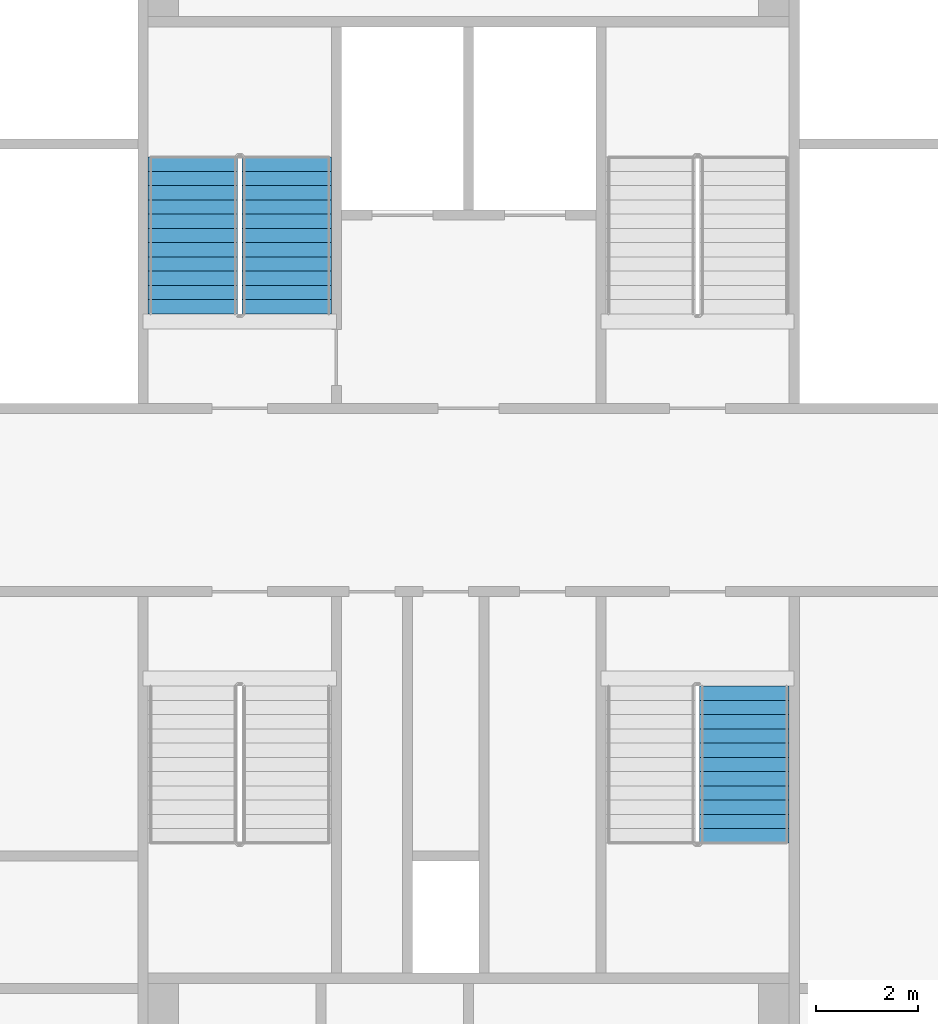
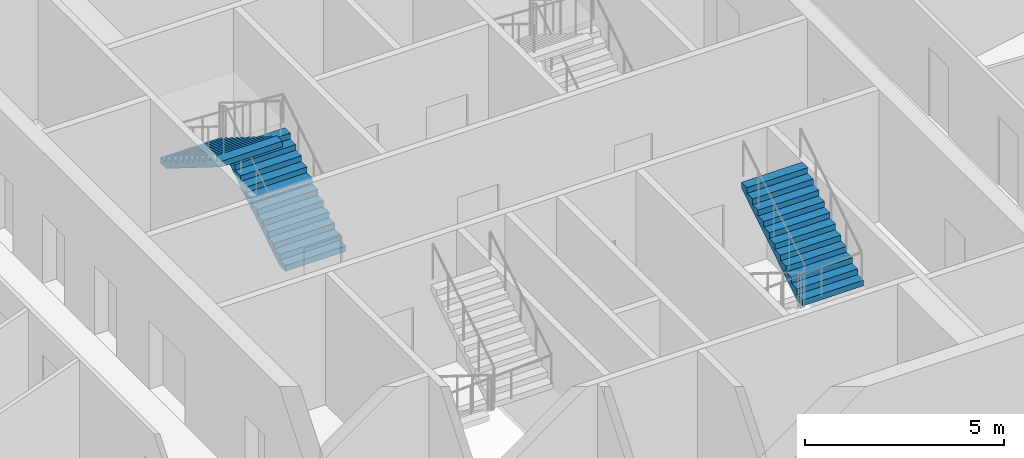
# One storey, part 22 of 28: 3 stair flights, 2 elements without a shape of their own.
"""IFC4 building model written with IfcOpenShell, lengths in metres."""

import ifcopenshell
import ifcopenshell.guid

model = None  # the IFC model being written
_history = None  # IfcOwnerHistory: only IFC2X3 demands one
_inside = {}  # id of a spatial element -> (the spatial element, [elements in it])
_under = {}  # id of a project, library or spatial element -> (it, [spatial elements below it])
_declared = {}  # id of a project -> (the project, [libraries it declares])
_typed = {}  # id of a type object -> (the type object, [elements of that type])
_made_of = {}  # id of a material, layer set ... -> (it, [elements and type objects made of it])


def new_model(schema):
    """Start an empty IFC model of exactly this schema.

    Asked for "IFC4X3", IfcOpenShell would pick the latest addendum, in which some entities
    have other attributes; the version numbers below select the first issue.
    IFC2X3 requires an IfcOwnerHistory on every rooted entity: one is made here for all.
    """
    global model, _history
    if schema == "IFC4X3":
        model = ifcopenshell.file(schema_version=(4, 3, 0, 0))
    else:
        model = ifcopenshell.file(schema=schema)
    _inside.clear()
    _under.clear()
    _declared.clear()
    _typed.clear()
    _made_of.clear()
    _history = None
    if model.schema == "IFC2X3":
        org = make("IfcOrganization", Name="unknown")
        user = make(
            "IfcPersonAndOrganization",
            ThePerson=make("IfcPerson", FamilyName="unknown"),
            TheOrganization=org,
        )
        app = make(
            "IfcApplication",
            ApplicationDeveloper=org,
            Version="unknown",
            ApplicationFullName="unknown",
            ApplicationIdentifier="unknown",
        )
        _history = make(
            "IfcOwnerHistory",
            OwningUser=user,
            OwningApplication=app,
            ChangeAction="ADDED",
            CreationDate=0,
        )
    return model


def make(cls, **values):
    """One entity of the class cls with the attributes given. An attribute that is None is left unset."""
    return model.create_entity(
        cls, **{name: value for name, value in values.items() if value is not None}
    )


def rooted(cls, **values):
    """An entity with a GlobalId (a new one), such as an element, a storey or a relation."""
    return make(cls, GlobalId=ifcopenshell.guid.new(), OwnerHistory=_history, **values)


def si_unit(unit_type, name, prefix=None):
    """IfcSIUnit, for example si_unit("LENGTHUNIT", "METRE", prefix="MILLI")."""
    return make("IfcSIUnit", UnitType=unit_type, Prefix=prefix, Name=name)


def assignment(units):
    """IfcUnitAssignment: the units of a project."""
    return None if units is None else make("IfcUnitAssignment", Units=units)


def point(xyz):
    """IfcCartesianPoint."""
    return None if xyz is None else make("IfcCartesianPoint", Coordinates=xyz)


def direction(xyz):
    """IfcDirection."""
    return None if xyz is None else make("IfcDirection", DirectionRatios=xyz)


def frame(location, z_axis=None, x_axis=None):
    """IfcAxis2Placement3D, a coordinate frame: its origin and axes. An axis left out is left unset."""
    return make(
        "IfcAxis2Placement3D",
        Location=point(location),
        Axis=direction(z_axis),
        RefDirection=direction(x_axis),
    )


def origin():
    """The frame at (0, 0, 0) with its axes left unset."""
    return frame((0.0, 0.0, 0.0))


def place(relative_to, where):
    """IfcLocalPlacement: puts the frame where relative to a parent placement (None: the world)."""
    return make(
        "IfcLocalPlacement", PlacementRelTo=relative_to, RelativePlacement=where
    )


def context(
    kind, dimensions, precision=None, world=None, true_north=None, identifier=None
):
    """IfcGeometricRepresentationContext, for example the 3D "Model" context."""
    return make(
        "IfcGeometricRepresentationContext",
        ContextIdentifier=identifier,
        ContextType=kind,
        CoordinateSpaceDimension=dimensions,
        Precision=precision,
        WorldCoordinateSystem=world,
        TrueNorth=true_north,
    )


def subcontext(parent, identifier, kind, view, scale=None):
    """IfcGeometricRepresentationSubContext, for example "Body" below "Model"."""
    return make(
        "IfcGeometricRepresentationSubContext",
        ContextIdentifier=identifier,
        ContextType=kind,
        ParentContext=parent,
        TargetScale=scale,
        TargetView=view,
    )


def project(units=None, contexts=None):
    """IfcProject with its units and contexts."""
    return rooted(
        "IfcProject",
        Name="project",
        RepresentationContexts=contexts,
        UnitsInContext=assignment(units),
    )


def spatial(cls, under=None, at=None, **own):
    """A site, building, storey or space (cls), placed at a placement, below another one or the project."""
    s = rooted(cls, ObjectPlacement=at, **own)
    if under is not None:
        _under.setdefault(under.id(), (under, []))[1].append(s)
    return s


def faces_of(points, faces, orient=None, outer=None):
    """IfcFace entities. A face is a list of loops; a loop is a list of indices into points, from 0.

    orient and outer hold one flag for each loop. By default every Orientation is true, the
    first loop of a face is its IfcFaceOuterBound and the others are IfcFaceBound.
    """
    made = []
    for i, loops in enumerate(faces):
        bounds = []
        for j, loop in enumerate(loops):
            is_outer = j == 0 if outer is None else outer[i][j]
            bounds.append(
                make(
                    "IfcFaceOuterBound" if is_outer else "IfcFaceBound",
                    Bound=make("IfcPolyLoop", Polygon=[points[k] for k in loop]),
                    Orientation=True if orient is None else orient[i][j],
                )
            )
        made.append(make("IfcFace", Bounds=bounds))
    return made


def faceted_brep(points, faces, orient=None, outer=None, voids=None):
    """IfcFacetedBrep: a solid bounded by flat faces; with voids (closed shells), ...WithVoids."""
    shared = [point(p) for p in points]
    hull = make("IfcClosedShell", CfsFaces=faces_of(shared, faces, orient, outer))
    if voids is None:
        return make("IfcFacetedBrep", Outer=hull)
    return make(
        "IfcFacetedBrepWithVoids",
        Outer=hull,
        Voids=[
            make(cls, CfsFaces=faces_of(shared, fs, o, b)) for cls, fs, o, b in voids
        ],
    )


def shape(context_of_items, identifier, shape_type, items):
    """IfcShapeRepresentation: the items that make up one representation, for example the "Body"."""
    return make(
        "IfcShapeRepresentation",
        ContextOfItems=context_of_items,
        RepresentationIdentifier=identifier,
        RepresentationType=shape_type,
        Items=items,
    )


def material(Name=None, Category=None):
    """IfcMaterial."""
    return make("IfcMaterial", Name=Name, Category=Category)


def made_of(thing, what):
    """Note that an element or type object is made of a material, layer set ...; save() writes the relation."""
    if what is not None:
        _made_of.setdefault(what.id(), (what, []))[1].append(thing)
    return thing


def type_object(cls, material=None, **own):
    """A type object (cls), such as IfcWallType, which elements share."""
    return made_of(rooted(cls, **own), material)


def element(
    cls,
    number,
    at=None,
    inside=None,
    cuts=None,
    type_object=None,
    material=None,
    context=None,
    identifier="Body",
    shape_type=None,
    held_by="IfcProductDefinitionShape",
    body=None,
    shapes=None,
    **own,
):
    """One element of the class cls, such as IfcWall. Its Tag is "e" and its number.

    at: its placement. inside: the storey or other place that contains it. cuts: it is an
    opening in that element (IfcRelVoidsElement). A single representation is given by context,
    identifier, shape_type and body (its items); several are given by shapes. held_by: the class
    of the entity that holds the representations. save() writes the other relations.
    """
    e = rooted(cls, Tag="e%d" % number, ObjectPlacement=at, **own)
    if body is not None:
        shapes = [shape(context, identifier, shape_type, body)]
    if shapes is not None:
        e.Representation = make(held_by, Representations=shapes)
    if inside is not None:
        _inside.setdefault(inside.id(), (inside, []))[1].append(e)
    if cuts is not None:
        rooted(
            "IfcRelVoidsElement", RelatingBuildingElement=cuts, RelatedOpeningElement=e
        )
    if type_object is not None:
        _typed.setdefault(type_object.id(), (type_object, []))[1].append(e)
    return made_of(e, material)


def aggregate(whole, parts):
    """IfcRelAggregates: a whole, such as a stair, and the parts it consists of."""
    return rooted("IfcRelAggregates", RelatingObject=whole, RelatedObjects=parts)


def save(model, path):
    """Write the relations noted so far, then the file.

    IfcRelAggregates (storeys below a building ...), IfcRelContainedInSpatialStructure (elements
    in a storey), IfcRelDefinesByType, IfcRelAssociatesMaterial and IfcRelDeclares: one each for
    every whole, place, type object, material and project.
    """
    for whole, parts in _under.values():
        aggregate(whole, parts)
    for where, things in _inside.values():
        rooted(
            "IfcRelContainedInSpatialStructure",
            RelatedElements=things,
            RelatingStructure=where,
        )
    for kind, things in _typed.values():
        rooted("IfcRelDefinesByType", RelatedObjects=things, RelatingType=kind)
    for what, things in _made_of.values():
        rooted("IfcRelAssociatesMaterial", RelatedObjects=things, RelatingMaterial=what)
    for by, libraries in _declared.values():
        rooted("IfcRelDeclares", RelatingContext=by, RelatedDefinitions=libraries)
    model.write(path)


model = new_model("IFC4")

# Units and contexts
model_context = context("Model", 3, precision=1e-05, world=origin(), true_north=direction((0.0, 1.0)))
body_context = subcontext(model_context, "Body", "Model", "MODEL_VIEW")
ifc_project = project(units=[si_unit("LENGTHUNIT", "METRE"), si_unit("AREAUNIT", "SQUARE_METRE"), si_unit("VOLUMEUNIT", "CUBIC_METRE"), si_unit("PLANEANGLEUNIT", "RADIAN"), si_unit("MASSUNIT", "GRAM", prefix="KILO")], contexts=[model_context])

# Site, building, storey
site_placement = place(None, origin())
site = spatial("IfcSite", under=ifc_project, at=site_placement, CompositionType="ELEMENT")
building_placement = place(site_placement, origin())
building = spatial("IfcBuilding", under=site, at=building_placement, Name="Tarsis Ring Headquarters", CompositionType="ELEMENT")
storey_placement = place(building_placement, frame((0.0, 0.0, 365.0)))
storey = spatial("IfcBuildingStorey", under=building, at=storey_placement, Name="L86", CompositionType="ELEMENT", Elevation=365.0)

# Stair, stair flights
ifc_material_1 = material(Name="Core stair 1760")
stair_type = type_object("IfcStairType", Name="Core stair 1760", PredefinedType="HALF_TURN_STAIR", material=ifc_material_1)
stair_1_placement = place(storey_placement, origin())
stair_1 = element("IfcStair", 1, at=stair_1_placement, inside=storey, type_object=stair_type, Name="L86 Firefighting stair", PredefinedType="HALF_TURN_STAIR")
ifc_material_2 = material(Name="Concrete C40/50", Category="concrete")
stair_flight_type = type_object("IfcStairFlightType", Name="Core stair flight 1760", PredefinedType="STRAIGHT", material=ifc_material_2)
stair_flight_1_placement = place(storey_placement, frame((-3.580078125, 3.659912109375, 0.0), z_axis=(0.0, 0.0, 1.0), x_axis=(0.0, 1.0, 0.0)))
stair_flight_1 = element("IfcStairFlight", 2, at=stair_flight_1_placement, type_object=stair_flight_type, Name="Stair ST1 flight 1", NumberOfRisers=12, NumberOfTreads=11, PredefinedType="STRAIGHT", RiserHeight=0.175, TreadLength=0.28, context=body_context, shape_type="Brep", body=[
    faceted_brep([(0.0, 0.8798828125, 0.0), (0.0, 0.8798828125, 0.175048828125), (0.280029296875, 0.8798828125, 0.175048828125), (0.280029296875, 0.8798828125, 0.35009765625), (0.56005859375, 0.8798828125, 0.35009765625), (0.56005859375, 0.8798828125, 0.52490234375), (0.840087890625, 0.8798828125, 0.52490234375), (0.840087890625, 0.8798828125, 0.699951171875), (1.1201171875, 0.8798828125, 0.699951171875), (1.1201171875, 0.8798828125, 0.875), (1.39990234375, 0.8798828125, 0.875), (1.39990234375, 0.8798828125, 1.050048828125), (1.679931640625, 0.8798828125, 1.050048828125), (1.679931640625, 0.8798828125, 1.22509765625), (1.9599609375, 0.8798828125, 1.22509765625), (1.9599609375, 0.8798828125, 1.39990234375), (2.239990234375, 0.8798828125, 1.39990234375), (2.239990234375, 0.8798828125, 1.574951171875), (2.52001953125, 0.8798828125, 1.574951171875), (2.52001953125, 0.8798828125, 1.75), (2.800048828125, 0.8798828125, 1.75), (2.800048828125, 0.8798828125, 1.925048828125), (3.080078125, 0.8798828125, 1.925048828125), (3.080078125, 0.8798828125, 1.748291015625), (0.28271484375, 0.8798828125, 0.0), (0.28271484375, -0.8798828125, 0.0), (3.080078125, -0.8798828125, 1.748291015625), (3.080078125, -0.8798828125, 1.925048828125), (2.800048828125, -0.8798828125, 1.925048828125), (2.800048828125, -0.8798828125, 1.75), (2.52001953125, -0.8798828125, 1.75), (2.52001953125, -0.8798828125, 1.574951171875), (2.239990234375, -0.8798828125, 1.574951171875), (2.239990234375, -0.8798828125, 1.39990234375), (1.9599609375, -0.8798828125, 1.39990234375), (1.9599609375, -0.8798828125, 1.22509765625), (1.679931640625, -0.8798828125, 1.22509765625), (1.679931640625, -0.8798828125, 1.050048828125), (1.39990234375, -0.8798828125, 1.050048828125), (1.39990234375, -0.8798828125, 0.875), (1.1201171875, -0.8798828125, 0.875), (1.1201171875, -0.8798828125, 0.699951171875), (0.840087890625, -0.8798828125, 0.699951171875), (0.840087890625, -0.8798828125, 0.52490234375), (0.56005859375, -0.8798828125, 0.52490234375), (0.56005859375, -0.8798828125, 0.35009765625), (0.280029296875, -0.8798828125, 0.35009765625), (0.280029296875, -0.8798828125, 0.175048828125), (0.0, -0.8798828125, 0.175048828125), (0.0, -0.8798828125, 0.0), (0.0, -0.43994140625, 0.175048828125), (0.0, -0.43994140625, 0.0), (0.0, 0.0, 0.175048828125), (0.0, 0.0, 0.0), (0.0, 0.43994140625, 0.175048828125), (0.0, 0.43994140625, 0.0), (0.280029296875, -0.43994140625, 0.175048828125), (0.280029296875, 0.0, 0.175048828125), (0.280029296875, 0.43994140625, 0.175048828125), (0.280029296875, -0.43994140625, 0.35009765625), (0.280029296875, 0.0, 0.35009765625), (0.280029296875, 0.43994140625, 0.35009765625), (0.56005859375, -0.43994140625, 0.35009765625), (0.56005859375, 0.0, 0.35009765625), (0.56005859375, 0.43994140625, 0.35009765625), (0.56005859375, -0.43994140625, 0.52490234375), (0.56005859375, 0.0, 0.52490234375), (0.56005859375, 0.43994140625, 0.52490234375), (0.840087890625, -0.43994140625, 0.52490234375), (0.840087890625, 0.0, 0.52490234375), (0.840087890625, 0.43994140625, 0.52490234375), (0.840087890625, -0.43994140625, 0.699951171875), (0.840087890625, 0.0, 0.699951171875), (0.840087890625, 0.43994140625, 0.699951171875), (1.1201171875, -0.43994140625, 0.699951171875), (1.1201171875, 0.0, 0.699951171875), (1.1201171875, 0.43994140625, 0.699951171875), (1.1201171875, -0.43994140625, 0.875), (1.1201171875, 0.0, 0.875), (1.1201171875, 0.43994140625, 0.875), (1.39990234375, -0.43994140625, 0.875), (1.39990234375, 0.0, 0.875), (1.39990234375, 0.43994140625, 0.875), (1.39990234375, -0.43994140625, 1.050048828125), (1.39990234375, 0.0, 1.050048828125), (1.39990234375, 0.43994140625, 1.050048828125), (1.679931640625, -0.43994140625, 1.050048828125), (1.679931640625, 0.0, 1.050048828125), (1.679931640625, 0.43994140625, 1.050048828125), (1.679931640625, -0.43994140625, 1.22509765625), (1.679931640625, 0.0, 1.22509765625), (1.679931640625, 0.43994140625, 1.22509765625), (1.9599609375, -0.43994140625, 1.22509765625), (1.9599609375, 0.0, 1.22509765625), (1.9599609375, 0.43994140625, 1.22509765625), (1.9599609375, -0.43994140625, 1.39990234375), (1.9599609375, 0.0, 1.39990234375), (1.9599609375, 0.43994140625, 1.39990234375), (2.239990234375, -0.43994140625, 1.39990234375), (2.239990234375, 0.0, 1.39990234375), (2.239990234375, 0.43994140625, 1.39990234375), (2.239990234375, -0.43994140625, 1.574951171875), (2.239990234375, 0.0, 1.574951171875), (2.239990234375, 0.43994140625, 1.574951171875), (2.52001953125, -0.43994140625, 1.574951171875), (2.52001953125, 0.0, 1.574951171875), (2.52001953125, 0.43994140625, 1.574951171875), (2.52001953125, -0.43994140625, 1.75), (2.52001953125, 0.0, 1.75), (2.52001953125, 0.43994140625, 1.75), (2.800048828125, -0.43994140625, 1.75), (2.800048828125, 0.0, 1.75), (2.800048828125, 0.43994140625, 1.75), (2.800048828125, -0.43994140625, 1.925048828125), (2.800048828125, 0.0, 1.925048828125), (2.800048828125, 0.43994140625, 1.925048828125), (3.080078125, -0.43994140625, 1.925048828125), (3.080078125, 0.0, 1.925048828125), (3.080078125, 0.43994140625, 1.925048828125), (3.080078125, -0.43994140625, 1.748291015625), (3.080078125, 0.0, 1.748291015625), (3.080078125, 0.43994140625, 1.748291015625), (0.28271484375, -0.43994140625, 0.0), (0.28271484375, 0.0, 0.0), (0.28271484375, 0.43994140625, 0.0)], [[[0, 1, 2, 3, 4, 5, 6, 7, 8, 9, 10, 11, 12, 13, 14, 15, 16, 17, 18, 19, 20, 21, 22, 23, 24]], [[25, 26, 27, 28, 29, 30, 31, 32, 33, 34, 35, 36, 37, 38, 39, 40, 41, 42, 43, 44, 45, 46, 47, 48, 49]], [[49, 48, 50, 51]], [[51, 50, 52, 53]], [[53, 52, 54, 55]], [[55, 54, 1, 0]], [[48, 47, 56, 50]], [[50, 56, 57, 52]], [[52, 57, 58, 54]], [[54, 58, 2, 1]], [[47, 46, 59, 56]], [[56, 59, 60, 57]], [[57, 60, 61, 58]], [[58, 61, 3, 2]], [[46, 45, 62, 59]], [[59, 62, 63, 60]], [[60, 63, 64, 61]], [[61, 64, 4, 3]], [[45, 44, 65, 62]], [[62, 65, 66, 63]], [[63, 66, 67, 64]], [[64, 67, 5, 4]], [[44, 43, 68, 65]], [[65, 68, 69, 66]], [[66, 69, 70, 67]], [[67, 70, 6, 5]], [[43, 42, 71, 68]], [[68, 71, 72, 69]], [[69, 72, 73, 70]], [[70, 73, 7, 6]], [[42, 41, 74, 71]], [[71, 74, 75, 72]], [[72, 75, 76, 73]], [[73, 76, 8, 7]], [[41, 40, 77, 74]], [[74, 77, 78, 75]], [[75, 78, 79, 76]], [[76, 79, 9, 8]], [[40, 39, 80, 77]], [[77, 80, 81, 78]], [[78, 81, 82, 79]], [[79, 82, 10, 9]], [[39, 38, 83, 80]], [[80, 83, 84, 81]], [[81, 84, 85, 82]], [[82, 85, 11, 10]], [[38, 37, 86, 83]], [[83, 86, 87, 84]], [[84, 87, 88, 85]], [[85, 88, 12, 11]], [[37, 36, 89, 86]], [[86, 89, 90, 87]], [[87, 90, 91, 88]], [[88, 91, 13, 12]], [[36, 35, 92, 89]], [[89, 92, 93, 90]], [[90, 93, 94, 91]], [[91, 94, 14, 13]], [[35, 34, 95, 92]], [[92, 95, 96, 93]], [[93, 96, 97, 94]], [[94, 97, 15, 14]], [[34, 33, 98, 95]], [[95, 98, 99, 96]], [[96, 99, 100, 97]], [[97, 100, 16, 15]], [[33, 32, 101, 98]], [[98, 101, 102, 99]], [[99, 102, 103, 100]], [[100, 103, 17, 16]], [[32, 31, 104, 101]], [[101, 104, 105, 102]], [[102, 105, 106, 103]], [[103, 106, 18, 17]], [[31, 30, 107, 104]], [[104, 107, 108, 105]], [[105, 108, 109, 106]], [[106, 109, 19, 18]], [[30, 29, 110, 107]], [[107, 110, 111, 108]], [[108, 111, 112, 109]], [[109, 112, 20, 19]], [[29, 28, 113, 110]], [[110, 113, 114, 111]], [[111, 114, 115, 112]], [[112, 115, 21, 20]], [[28, 27, 116, 113]], [[113, 116, 117, 114]], [[114, 117, 118, 115]], [[115, 118, 22, 21]], [[27, 26, 119, 116]], [[116, 119, 120, 117]], [[117, 120, 121, 118]], [[118, 121, 23, 22]], [[26, 25, 122, 119]], [[119, 122, 123, 120]], [[120, 123, 124, 121]], [[121, 124, 24, 23]], [[25, 49, 51, 122]], [[122, 51, 53, 123]], [[123, 53, 55, 124]], [[124, 55, 0, 24]]]),
])
stair_flight_2_placement = place(storey_placement, frame((-5.419921875, 6.739990234375, 2.10009765625), z_axis=(0.0, 0.0, 1.0), x_axis=(0.0, -1.0, 0.0)))
stair_flight_2 = element("IfcStairFlight", 3, at=stair_flight_2_placement, type_object=stair_flight_type, Name="Stair ST1 flight 2", NumberOfRisers=12, NumberOfTreads=11, PredefinedType="STRAIGHT", RiserHeight=0.175, TreadLength=0.28, context=body_context, shape_type="Brep", body=[
    faceted_brep([(0.0, 0.8798828125, 0.0), (0.0, 0.8798828125, 0.175048828125), (0.280029296875, 0.8798828125, 0.175048828125), (0.280029296875, 0.8798828125, 0.35009765625), (0.56005859375, 0.8798828125, 0.35009765625), (0.56005859375, 0.8798828125, 0.52490234375), (0.840087890625, 0.8798828125, 0.52490234375), (0.840087890625, 0.8798828125, 0.699951171875), (1.1201171875, 0.8798828125, 0.699951171875), (1.1201171875, 0.8798828125, 0.875), (1.39990234375, 0.8798828125, 0.875), (1.39990234375, 0.8798828125, 1.050048828125), (1.679931640625, 0.8798828125, 1.050048828125), (1.679931640625, 0.8798828125, 1.22509765625), (1.9599609375, 0.8798828125, 1.22509765625), (1.9599609375, 0.8798828125, 1.39990234375), (2.239990234375, 0.8798828125, 1.39990234375), (2.239990234375, 0.8798828125, 1.574951171875), (2.52001953125, 0.8798828125, 1.574951171875), (2.52001953125, 0.8798828125, 1.75), (2.800048828125, 0.8798828125, 1.75), (2.800048828125, 0.8798828125, 1.925048828125), (3.080078125, 0.8798828125, 1.925048828125), (3.080078125, 0.8798828125, 1.748291015625), (0.28271484375, 0.8798828125, 0.0), (0.28271484375, -0.8798828125, 0.0), (3.080078125, -0.8798828125, 1.748291015625), (3.080078125, -0.8798828125, 1.925048828125), (2.800048828125, -0.8798828125, 1.925048828125), (2.800048828125, -0.8798828125, 1.75), (2.52001953125, -0.8798828125, 1.75), (2.52001953125, -0.8798828125, 1.574951171875), (2.239990234375, -0.8798828125, 1.574951171875), (2.239990234375, -0.8798828125, 1.39990234375), (1.9599609375, -0.8798828125, 1.39990234375), (1.9599609375, -0.8798828125, 1.22509765625), (1.679931640625, -0.8798828125, 1.22509765625), (1.679931640625, -0.8798828125, 1.050048828125), (1.39990234375, -0.8798828125, 1.050048828125), (1.39990234375, -0.8798828125, 0.875), (1.1201171875, -0.8798828125, 0.875), (1.1201171875, -0.8798828125, 0.699951171875), (0.840087890625, -0.8798828125, 0.699951171875), (0.840087890625, -0.8798828125, 0.52490234375), (0.56005859375, -0.8798828125, 0.52490234375), (0.56005859375, -0.8798828125, 0.35009765625), (0.280029296875, -0.8798828125, 0.35009765625), (0.280029296875, -0.8798828125, 0.175048828125), (0.0, -0.8798828125, 0.175048828125), (0.0, -0.8798828125, 0.0), (0.0, -0.43994140625, 0.175048828125), (0.0, -0.43994140625, 0.0), (0.0, 0.0, 0.175048828125), (0.0, 0.0, 0.0), (0.0, 0.43994140625, 0.175048828125), (0.0, 0.43994140625, 0.0), (0.280029296875, -0.43994140625, 0.175048828125), (0.280029296875, 0.0, 0.175048828125), (0.280029296875, 0.43994140625, 0.175048828125), (0.280029296875, -0.43994140625, 0.35009765625), (0.280029296875, 0.0, 0.35009765625), (0.280029296875, 0.43994140625, 0.35009765625), (0.56005859375, -0.43994140625, 0.35009765625), (0.56005859375, 0.0, 0.35009765625), (0.56005859375, 0.43994140625, 0.35009765625), (0.56005859375, -0.43994140625, 0.52490234375), (0.56005859375, 0.0, 0.52490234375), (0.56005859375, 0.43994140625, 0.52490234375), (0.840087890625, -0.43994140625, 0.52490234375), (0.840087890625, 0.0, 0.52490234375), (0.840087890625, 0.43994140625, 0.52490234375), (0.840087890625, -0.43994140625, 0.699951171875), (0.840087890625, 0.0, 0.699951171875), (0.840087890625, 0.43994140625, 0.699951171875), (1.1201171875, -0.43994140625, 0.699951171875), (1.1201171875, 0.0, 0.699951171875), (1.1201171875, 0.43994140625, 0.699951171875), (1.1201171875, -0.43994140625, 0.875), (1.1201171875, 0.0, 0.875), (1.1201171875, 0.43994140625, 0.875), (1.39990234375, -0.43994140625, 0.875), (1.39990234375, 0.0, 0.875), (1.39990234375, 0.43994140625, 0.875), (1.39990234375, -0.43994140625, 1.050048828125), (1.39990234375, 0.0, 1.050048828125), (1.39990234375, 0.43994140625, 1.050048828125), (1.679931640625, -0.43994140625, 1.050048828125), (1.679931640625, 0.0, 1.050048828125), (1.679931640625, 0.43994140625, 1.050048828125), (1.679931640625, -0.43994140625, 1.22509765625), (1.679931640625, 0.0, 1.22509765625), (1.679931640625, 0.43994140625, 1.22509765625), (1.9599609375, -0.43994140625, 1.22509765625), (1.9599609375, 0.0, 1.22509765625), (1.9599609375, 0.43994140625, 1.22509765625), (1.9599609375, -0.43994140625, 1.39990234375), (1.9599609375, 0.0, 1.39990234375), (1.9599609375, 0.43994140625, 1.39990234375), (2.239990234375, -0.43994140625, 1.39990234375), (2.239990234375, 0.0, 1.39990234375), (2.239990234375, 0.43994140625, 1.39990234375), (2.239990234375, -0.43994140625, 1.574951171875), (2.239990234375, 0.0, 1.574951171875), (2.239990234375, 0.43994140625, 1.574951171875), (2.52001953125, -0.43994140625, 1.574951171875), (2.52001953125, 0.0, 1.574951171875), (2.52001953125, 0.43994140625, 1.574951171875), (2.52001953125, -0.43994140625, 1.75), (2.52001953125, 0.0, 1.75), (2.52001953125, 0.43994140625, 1.75), (2.800048828125, -0.43994140625, 1.75), (2.800048828125, 0.0, 1.75), (2.800048828125, 0.43994140625, 1.75), (2.800048828125, -0.43994140625, 1.925048828125), (2.800048828125, 0.0, 1.925048828125), (2.800048828125, 0.43994140625, 1.925048828125), (3.080078125, -0.43994140625, 1.925048828125), (3.080078125, 0.0, 1.925048828125), (3.080078125, 0.43994140625, 1.925048828125), (3.080078125, -0.43994140625, 1.748291015625), (3.080078125, 0.0, 1.748291015625), (3.080078125, 0.43994140625, 1.748291015625), (0.28271484375, -0.43994140625, 0.0), (0.28271484375, 0.0, 0.0), (0.28271484375, 0.43994140625, 0.0)], [[[0, 1, 2, 3, 4, 5, 6, 7, 8, 9, 10, 11, 12, 13, 14, 15, 16, 17, 18, 19, 20, 21, 22, 23, 24]], [[25, 26, 27, 28, 29, 30, 31, 32, 33, 34, 35, 36, 37, 38, 39, 40, 41, 42, 43, 44, 45, 46, 47, 48, 49]], [[49, 48, 50, 51]], [[51, 50, 52, 53]], [[53, 52, 54, 55]], [[55, 54, 1, 0]], [[48, 47, 56, 50]], [[50, 56, 57, 52]], [[52, 57, 58, 54]], [[54, 58, 2, 1]], [[47, 46, 59, 56]], [[56, 59, 60, 57]], [[57, 60, 61, 58]], [[58, 61, 3, 2]], [[46, 45, 62, 59]], [[59, 62, 63, 60]], [[60, 63, 64, 61]], [[61, 64, 4, 3]], [[45, 44, 65, 62]], [[62, 65, 66, 63]], [[63, 66, 67, 64]], [[64, 67, 5, 4]], [[44, 43, 68, 65]], [[65, 68, 69, 66]], [[66, 69, 70, 67]], [[67, 70, 6, 5]], [[43, 42, 71, 68]], [[68, 71, 72, 69]], [[69, 72, 73, 70]], [[70, 73, 7, 6]], [[42, 41, 74, 71]], [[71, 74, 75, 72]], [[72, 75, 76, 73]], [[73, 76, 8, 7]], [[41, 40, 77, 74]], [[74, 77, 78, 75]], [[75, 78, 79, 76]], [[76, 79, 9, 8]], [[40, 39, 80, 77]], [[77, 80, 81, 78]], [[78, 81, 82, 79]], [[79, 82, 10, 9]], [[39, 38, 83, 80]], [[80, 83, 84, 81]], [[81, 84, 85, 82]], [[82, 85, 11, 10]], [[38, 37, 86, 83]], [[83, 86, 87, 84]], [[84, 87, 88, 85]], [[85, 88, 12, 11]], [[37, 36, 89, 86]], [[86, 89, 90, 87]], [[87, 90, 91, 88]], [[88, 91, 13, 12]], [[36, 35, 92, 89]], [[89, 92, 93, 90]], [[90, 93, 94, 91]], [[91, 94, 14, 13]], [[35, 34, 95, 92]], [[92, 95, 96, 93]], [[93, 96, 97, 94]], [[94, 97, 15, 14]], [[34, 33, 98, 95]], [[95, 98, 99, 96]], [[96, 99, 100, 97]], [[97, 100, 16, 15]], [[33, 32, 101, 98]], [[98, 101, 102, 99]], [[99, 102, 103, 100]], [[100, 103, 17, 16]], [[32, 31, 104, 101]], [[101, 104, 105, 102]], [[102, 105, 106, 103]], [[103, 106, 18, 17]], [[31, 30, 107, 104]], [[104, 107, 108, 105]], [[105, 108, 109, 106]], [[106, 109, 19, 18]], [[30, 29, 110, 107]], [[107, 110, 111, 108]], [[108, 111, 112, 109]], [[109, 112, 20, 19]], [[29, 28, 113, 110]], [[110, 113, 114, 111]], [[111, 114, 115, 112]], [[112, 115, 21, 20]], [[28, 27, 116, 113]], [[113, 116, 117, 114]], [[114, 117, 118, 115]], [[115, 118, 22, 21]], [[27, 26, 119, 116]], [[116, 119, 120, 117]], [[117, 120, 121, 118]], [[118, 121, 23, 22]], [[26, 25, 122, 119]], [[119, 122, 123, 120]], [[120, 123, 124, 121]], [[121, 124, 24, 23]], [[25, 49, 51, 122]], [[122, 51, 53, 123]], [[123, 53, 55, 124]], [[124, 55, 0, 24]]]),
])
aggregate(stair_1, [stair_flight_1, stair_flight_2])

# Stair, stair flight
stair_2_placement = place(storey_placement, origin())
stair_2 = element("IfcStair", 4, at=stair_2_placement, inside=storey, type_object=stair_type, Name="L86 Exit stair D", PredefinedType="HALF_TURN_STAIR")
stair_flight_3_placement = place(storey_placement, frame((5.419921875, -6.739990234375, 2.10009765625), z_axis=(0.0, 0.0, 1.0), x_axis=(0.0, 1.0, 0.0)))
stair_flight_3 = element("IfcStairFlight", 5, at=stair_flight_3_placement, type_object=stair_flight_type, Name="Stair ST4 flight 2", NumberOfRisers=12, NumberOfTreads=11, PredefinedType="STRAIGHT", RiserHeight=0.175, TreadLength=0.28, context=body_context, shape_type="Brep", body=[
    faceted_brep([(0.0, 0.8798828125, 0.0), (0.0, 0.8798828125, 0.175048828125), (0.280029296875, 0.8798828125, 0.175048828125), (0.280029296875, 0.8798828125, 0.35009765625), (0.56005859375, 0.8798828125, 0.35009765625), (0.56005859375, 0.8798828125, 0.52490234375), (0.840087890625, 0.8798828125, 0.52490234375), (0.840087890625, 0.8798828125, 0.699951171875), (1.1201171875, 0.8798828125, 0.699951171875), (1.1201171875, 0.8798828125, 0.875), (1.39990234375, 0.8798828125, 0.875), (1.39990234375, 0.8798828125, 1.050048828125), (1.679931640625, 0.8798828125, 1.050048828125), (1.679931640625, 0.8798828125, 1.22509765625), (1.9599609375, 0.8798828125, 1.22509765625), (1.9599609375, 0.8798828125, 1.39990234375), (2.239990234375, 0.8798828125, 1.39990234375), (2.239990234375, 0.8798828125, 1.574951171875), (2.52001953125, 0.8798828125, 1.574951171875), (2.52001953125, 0.8798828125, 1.75), (2.800048828125, 0.8798828125, 1.75), (2.800048828125, 0.8798828125, 1.925048828125), (3.080078125, 0.8798828125, 1.925048828125), (3.080078125, 0.8798828125, 1.748291015625), (0.28271484375, 0.8798828125, 0.0), (0.28271484375, -0.8798828125, 0.0), (3.080078125, -0.8798828125, 1.748291015625), (3.080078125, -0.8798828125, 1.925048828125), (2.800048828125, -0.8798828125, 1.925048828125), (2.800048828125, -0.8798828125, 1.75), (2.52001953125, -0.8798828125, 1.75), (2.52001953125, -0.8798828125, 1.574951171875), (2.239990234375, -0.8798828125, 1.574951171875), (2.239990234375, -0.8798828125, 1.39990234375), (1.9599609375, -0.8798828125, 1.39990234375), (1.9599609375, -0.8798828125, 1.22509765625), (1.679931640625, -0.8798828125, 1.22509765625), (1.679931640625, -0.8798828125, 1.050048828125), (1.39990234375, -0.8798828125, 1.050048828125), (1.39990234375, -0.8798828125, 0.875), (1.1201171875, -0.8798828125, 0.875), (1.1201171875, -0.8798828125, 0.699951171875), (0.840087890625, -0.8798828125, 0.699951171875), (0.840087890625, -0.8798828125, 0.52490234375), (0.56005859375, -0.8798828125, 0.52490234375), (0.56005859375, -0.8798828125, 0.35009765625), (0.280029296875, -0.8798828125, 0.35009765625), (0.280029296875, -0.8798828125, 0.175048828125), (0.0, -0.8798828125, 0.175048828125), (0.0, -0.8798828125, 0.0), (0.0, -0.43994140625, 0.175048828125), (0.0, -0.43994140625, 0.0), (0.0, 0.0, 0.175048828125), (0.0, 0.0, 0.0), (0.0, 0.43994140625, 0.175048828125), (0.0, 0.43994140625, 0.0), (0.280029296875, -0.43994140625, 0.175048828125), (0.280029296875, 0.0, 0.175048828125), (0.280029296875, 0.43994140625, 0.175048828125), (0.280029296875, -0.43994140625, 0.35009765625), (0.280029296875, 0.0, 0.35009765625), (0.280029296875, 0.43994140625, 0.35009765625), (0.56005859375, -0.43994140625, 0.35009765625), (0.56005859375, 0.0, 0.35009765625), (0.56005859375, 0.43994140625, 0.35009765625), (0.56005859375, -0.43994140625, 0.52490234375), (0.56005859375, 0.0, 0.52490234375), (0.56005859375, 0.43994140625, 0.52490234375), (0.840087890625, -0.43994140625, 0.52490234375), (0.840087890625, 0.0, 0.52490234375), (0.840087890625, 0.43994140625, 0.52490234375), (0.840087890625, -0.43994140625, 0.699951171875), (0.840087890625, 0.0, 0.699951171875), (0.840087890625, 0.43994140625, 0.699951171875), (1.1201171875, -0.43994140625, 0.699951171875), (1.1201171875, 0.0, 0.699951171875), (1.1201171875, 0.43994140625, 0.699951171875), (1.1201171875, -0.43994140625, 0.875), (1.1201171875, 0.0, 0.875), (1.1201171875, 0.43994140625, 0.875), (1.39990234375, -0.43994140625, 0.875), (1.39990234375, 0.0, 0.875), (1.39990234375, 0.43994140625, 0.875), (1.39990234375, -0.43994140625, 1.050048828125), (1.39990234375, 0.0, 1.050048828125), (1.39990234375, 0.43994140625, 1.050048828125), (1.679931640625, -0.43994140625, 1.050048828125), (1.679931640625, 0.0, 1.050048828125), (1.679931640625, 0.43994140625, 1.050048828125), (1.679931640625, -0.43994140625, 1.22509765625), (1.679931640625, 0.0, 1.22509765625), (1.679931640625, 0.43994140625, 1.22509765625), (1.9599609375, -0.43994140625, 1.22509765625), (1.9599609375, 0.0, 1.22509765625), (1.9599609375, 0.43994140625, 1.22509765625), (1.9599609375, -0.43994140625, 1.39990234375), (1.9599609375, 0.0, 1.39990234375), (1.9599609375, 0.43994140625, 1.39990234375), (2.239990234375, -0.43994140625, 1.39990234375), (2.239990234375, 0.0, 1.39990234375), (2.239990234375, 0.43994140625, 1.39990234375), (2.239990234375, -0.43994140625, 1.574951171875), (2.239990234375, 0.0, 1.574951171875), (2.239990234375, 0.43994140625, 1.574951171875), (2.52001953125, -0.43994140625, 1.574951171875), (2.52001953125, 0.0, 1.574951171875), (2.52001953125, 0.43994140625, 1.574951171875), (2.52001953125, -0.43994140625, 1.75), (2.52001953125, 0.0, 1.75), (2.52001953125, 0.43994140625, 1.75), (2.800048828125, -0.43994140625, 1.75), (2.800048828125, 0.0, 1.75), (2.800048828125, 0.43994140625, 1.75), (2.800048828125, -0.43994140625, 1.925048828125), (2.800048828125, 0.0, 1.925048828125), (2.800048828125, 0.43994140625, 1.925048828125), (3.080078125, -0.43994140625, 1.925048828125), (3.080078125, 0.0, 1.925048828125), (3.080078125, 0.43994140625, 1.925048828125), (3.080078125, -0.43994140625, 1.748291015625), (3.080078125, 0.0, 1.748291015625), (3.080078125, 0.43994140625, 1.748291015625), (0.28271484375, -0.43994140625, 0.0), (0.28271484375, 0.0, 0.0), (0.28271484375, 0.43994140625, 0.0)], [[[0, 1, 2, 3, 4, 5, 6, 7, 8, 9, 10, 11, 12, 13, 14, 15, 16, 17, 18, 19, 20, 21, 22, 23, 24]], [[25, 26, 27, 28, 29, 30, 31, 32, 33, 34, 35, 36, 37, 38, 39, 40, 41, 42, 43, 44, 45, 46, 47, 48, 49]], [[49, 48, 50, 51]], [[51, 50, 52, 53]], [[53, 52, 54, 55]], [[55, 54, 1, 0]], [[48, 47, 56, 50]], [[50, 56, 57, 52]], [[52, 57, 58, 54]], [[54, 58, 2, 1]], [[47, 46, 59, 56]], [[56, 59, 60, 57]], [[57, 60, 61, 58]], [[58, 61, 3, 2]], [[46, 45, 62, 59]], [[59, 62, 63, 60]], [[60, 63, 64, 61]], [[61, 64, 4, 3]], [[45, 44, 65, 62]], [[62, 65, 66, 63]], [[63, 66, 67, 64]], [[64, 67, 5, 4]], [[44, 43, 68, 65]], [[65, 68, 69, 66]], [[66, 69, 70, 67]], [[67, 70, 6, 5]], [[43, 42, 71, 68]], [[68, 71, 72, 69]], [[69, 72, 73, 70]], [[70, 73, 7, 6]], [[42, 41, 74, 71]], [[71, 74, 75, 72]], [[72, 75, 76, 73]], [[73, 76, 8, 7]], [[41, 40, 77, 74]], [[74, 77, 78, 75]], [[75, 78, 79, 76]], [[76, 79, 9, 8]], [[40, 39, 80, 77]], [[77, 80, 81, 78]], [[78, 81, 82, 79]], [[79, 82, 10, 9]], [[39, 38, 83, 80]], [[80, 83, 84, 81]], [[81, 84, 85, 82]], [[82, 85, 11, 10]], [[38, 37, 86, 83]], [[83, 86, 87, 84]], [[84, 87, 88, 85]], [[85, 88, 12, 11]], [[37, 36, 89, 86]], [[86, 89, 90, 87]], [[87, 90, 91, 88]], [[88, 91, 13, 12]], [[36, 35, 92, 89]], [[89, 92, 93, 90]], [[90, 93, 94, 91]], [[91, 94, 14, 13]], [[35, 34, 95, 92]], [[92, 95, 96, 93]], [[93, 96, 97, 94]], [[94, 97, 15, 14]], [[34, 33, 98, 95]], [[95, 98, 99, 96]], [[96, 99, 100, 97]], [[97, 100, 16, 15]], [[33, 32, 101, 98]], [[98, 101, 102, 99]], [[99, 102, 103, 100]], [[100, 103, 17, 16]], [[32, 31, 104, 101]], [[101, 104, 105, 102]], [[102, 105, 106, 103]], [[103, 106, 18, 17]], [[31, 30, 107, 104]], [[104, 107, 108, 105]], [[105, 108, 109, 106]], [[106, 109, 19, 18]], [[30, 29, 110, 107]], [[107, 110, 111, 108]], [[108, 111, 112, 109]], [[109, 112, 20, 19]], [[29, 28, 113, 110]], [[110, 113, 114, 111]], [[111, 114, 115, 112]], [[112, 115, 21, 20]], [[28, 27, 116, 113]], [[113, 116, 117, 114]], [[114, 117, 118, 115]], [[115, 118, 22, 21]], [[27, 26, 119, 116]], [[116, 119, 120, 117]], [[117, 120, 121, 118]], [[118, 121, 23, 22]], [[26, 25, 122, 119]], [[119, 122, 123, 120]], [[120, 123, 124, 121]], [[121, 124, 24, 23]], [[25, 49, 51, 122]], [[122, 51, 53, 123]], [[123, 53, 55, 124]], [[124, 55, 0, 24]]]),
])
aggregate(stair_2, [stair_flight_3])

save(model, "model.ifc")
